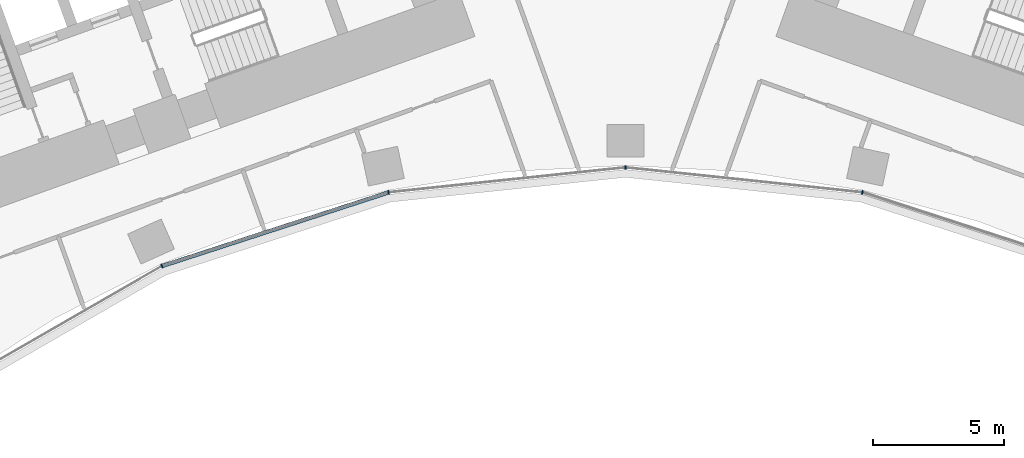
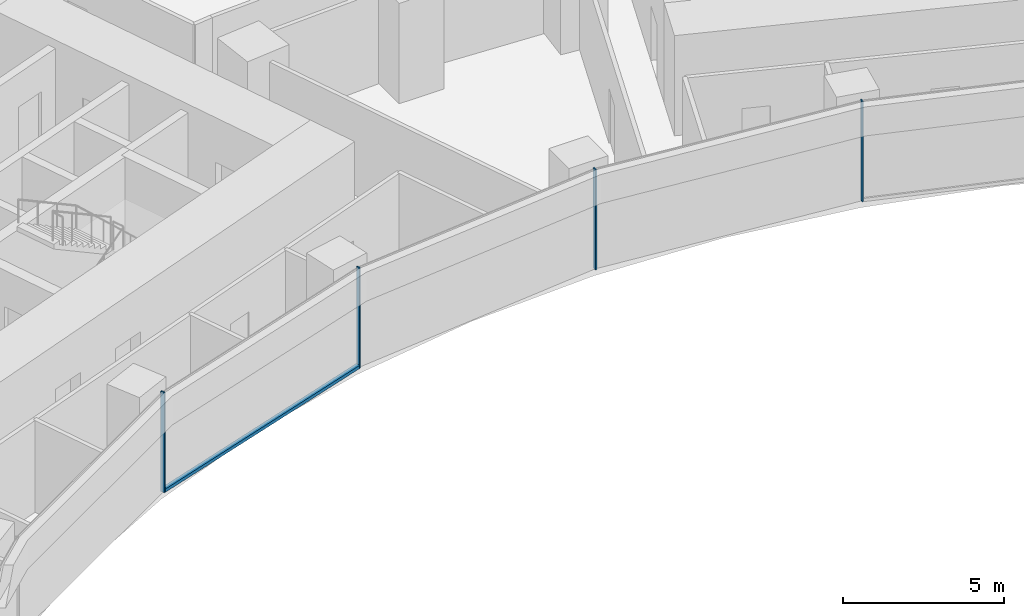
# One storey, part 5 of 21: 5 members, 1 element without a shape of its own.
"""IFC4 building model written with IfcOpenShell, lengths in metres."""

from ifc_helpers import new_model, si_unit, direction, frame, origin, origin_2d, place, context, subcontext, project, spatial, rectangle, extrude, material, layer, layer_set, material_profile, profile_set, type_object, element, aggregate, save


model = new_model("IFC4")

# Units and contexts
model_context = context("Model", 3, precision=1e-05, world=origin(), true_north=direction((0.0, 1.0)))
body_context = subcontext(model_context, "Body", "Model", "MODEL_VIEW")
ifc_project = project(units=[si_unit("LENGTHUNIT", "METRE"), si_unit("AREAUNIT", "SQUARE_METRE"), si_unit("VOLUMEUNIT", "CUBIC_METRE"), si_unit("PLANEANGLEUNIT", "RADIAN"), si_unit("MASSUNIT", "GRAM", prefix="KILO")], contexts=[model_context])

# Site, building, storey
site_placement = place(None, origin())
site = spatial("IfcSite", under=ifc_project, at=site_placement, CompositionType="ELEMENT")
building_placement = place(site_placement, origin())
building = spatial("IfcBuilding", under=site, at=building_placement, Name="Stone Belt Terrace Tower", CompositionType="ELEMENT")
storey_placement = place(building_placement, frame((0.0, 0.0, 60.39990234375)))
storey = spatial("IfcBuildingStorey", under=building, at=storey_placement, Name="L14", CompositionType="ELEMENT", Elevation=60.39990234375)

# Curtain wall, members
ifc_material = material(Name="Aluminium 6063-T6 anodised frame", Category="aluminium")
ifc_layer = layer(ifc_material, 0.14990234375)
ifc_layer_set = layer_set([ifc_layer], Name="CW-B unitised concave-face curtain wall")
curtain_wall_type = type_object("IfcCurtainWallType", Name="CW-B unitised concave-face curtain wall", PredefinedType="NOTDEFINED", material=ifc_layer_set)
curtain_wall_placement = place(storey_placement, origin())
curtain_wall = element("IfcCurtainWall", 1, at=curtain_wall_placement, inside=storey, type_object=curtain_wall_type, Name="CW-B concave face L14", PredefinedType="NOTDEFINED")
ifc_material_profile_1 = material_profile(ifc_material, rectangle(XDim=0.14990234375, YDim=0.050048828125, at=origin_2d()), Name="Aluminium 6063-T6 50x150")
ifc_profile_set_1 = profile_set([ifc_material_profile_1], Name="Aluminium 6063-T6 anodised frame")
member_type_1 = type_object("IfcMemberType", Name="CW-B mullion 50 x 150", PredefinedType="MULLION", material=ifc_profile_set_1)
member_1_placement = place(storey_placement, frame((-17.662353515625, 39.67041015625, 0.0), z_axis=(0.0, 0.0, 1.0), x_axis=(-0.406736643076, 0.913545457643, 0.0)))
member_1 = element("IfcMember", 2, at=member_1_placement, type_object=member_type_1, Name="CW-B mullion 4", PredefinedType="MULLION", context=body_context, shape_type="SweptSolid", body=[
    extrude(rectangle(XDim=0.14990234375, YDim=0.050048828125, at=origin_2d()), origin(), (0.0, 0.0, 1.0), 3.800048828125),
])
member_2_placement = place(storey_placement, frame((-9.028564453125, 42.4755859375, 0.0), z_axis=(0.0, 0.0, 1.0), x_axis=(-0.207911690818, 0.978147600734, 0.0)))
member_2 = element("IfcMember", 3, at=member_2_placement, type_object=member_type_1, Name="CW-B mullion 5", PredefinedType="MULLION", context=body_context, shape_type="SweptSolid", body=[
    extrude(rectangle(XDim=0.14990234375, YDim=0.050048828125, at=origin_2d()), origin(), (0.0, 0.0, 1.0), 3.800048828125),
])
member_3_placement = place(storey_placement, frame((0.0, 43.424560546875, 0.0), z_axis=(0.0, 0.0, 1.0), x_axis=(0.0, 1.0, 0.0)))
member_3 = element("IfcMember", 4, at=member_3_placement, type_object=member_type_1, Name="CW-B mullion 6", PredefinedType="MULLION", context=body_context, shape_type="SweptSolid", body=[
    extrude(rectangle(XDim=0.14990234375, YDim=0.050048828125, at=origin_2d()), origin(), (0.0, 0.0, 1.0), 3.800048828125),
])
member_4_placement = place(storey_placement, frame((9.028564453125, 42.4755859375, 0.0), z_axis=(0.0, 0.0, 1.0), x_axis=(0.207911690818, 0.978147600734, 0.0)))
member_4 = element("IfcMember", 5, at=member_4_placement, type_object=member_type_1, Name="CW-B mullion 7", PredefinedType="MULLION", context=body_context, shape_type="SweptSolid", body=[
    extrude(rectangle(XDim=0.14990234375, YDim=0.050048828125, at=origin_2d()), origin(), (0.0, 0.0, 1.0), 3.800048828125),
])
ifc_material_profile_2 = material_profile(ifc_material, rectangle(XDim=0.14990234375, YDim=0.1201171875, at=origin_2d()), Name="Aluminium 6063-T6 150x120")
ifc_profile_set_2 = profile_set([ifc_material_profile_2], Name="Aluminium 6063-T6 anodised frame")
member_type_2 = type_object("IfcMemberType", Name="CW-B transom 120 x 150", PredefinedType="USERDEFINED", material=ifc_profile_set_2)
member_5_placement = place(storey_placement, frame((-17.63134765625, 39.680419921875, 0.06005859375), z_axis=(0.951055963285, 0.309018696359, 0.0), x_axis=(-0.309018696359, 0.951055963285, 0.0)))
member_5 = element("IfcMember", 6, at=member_5_placement, type_object=member_type_2, Name="CW-B transom 4.1", ObjectType="TRANSOM", PredefinedType="USERDEFINED", context=body_context, shape_type="SweptSolid", body=[
    extrude(rectangle(XDim=0.14990234375, YDim=0.1201171875, at=origin_2d()), origin(), (0.0, 0.0, 1.0), 9.012939453125),
])
aggregate(curtain_wall, [member_1, member_2, member_3, member_4, member_5])

save(model, "model.ifc")
